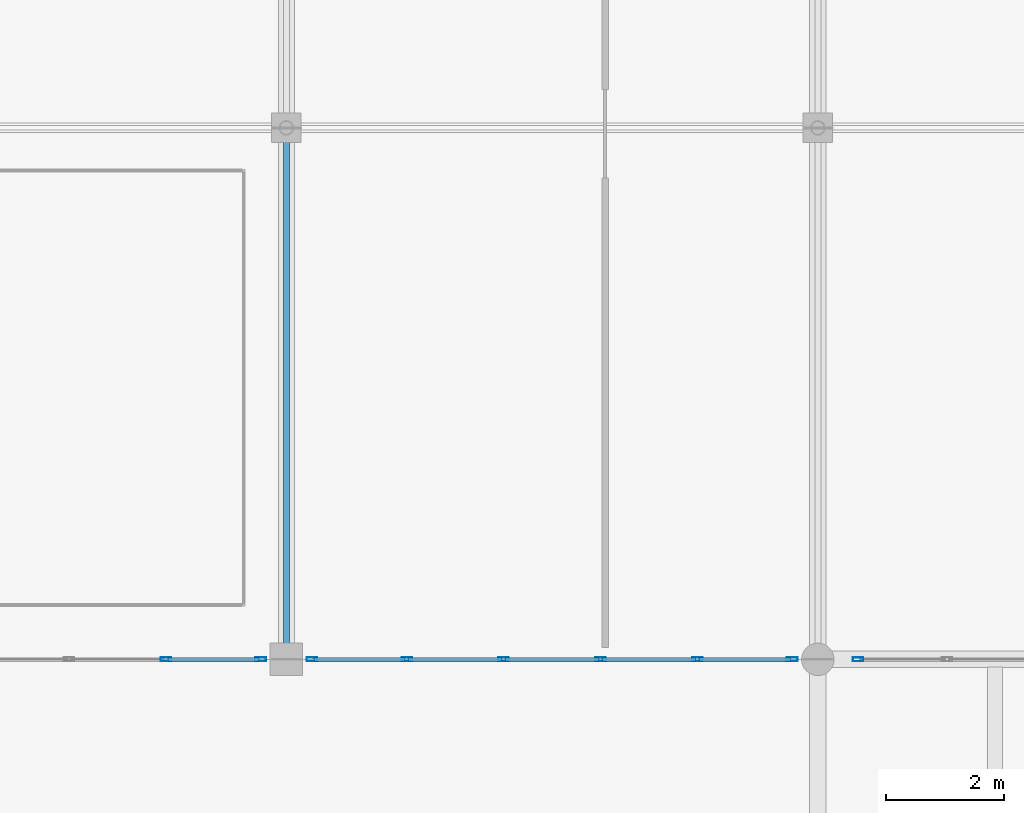
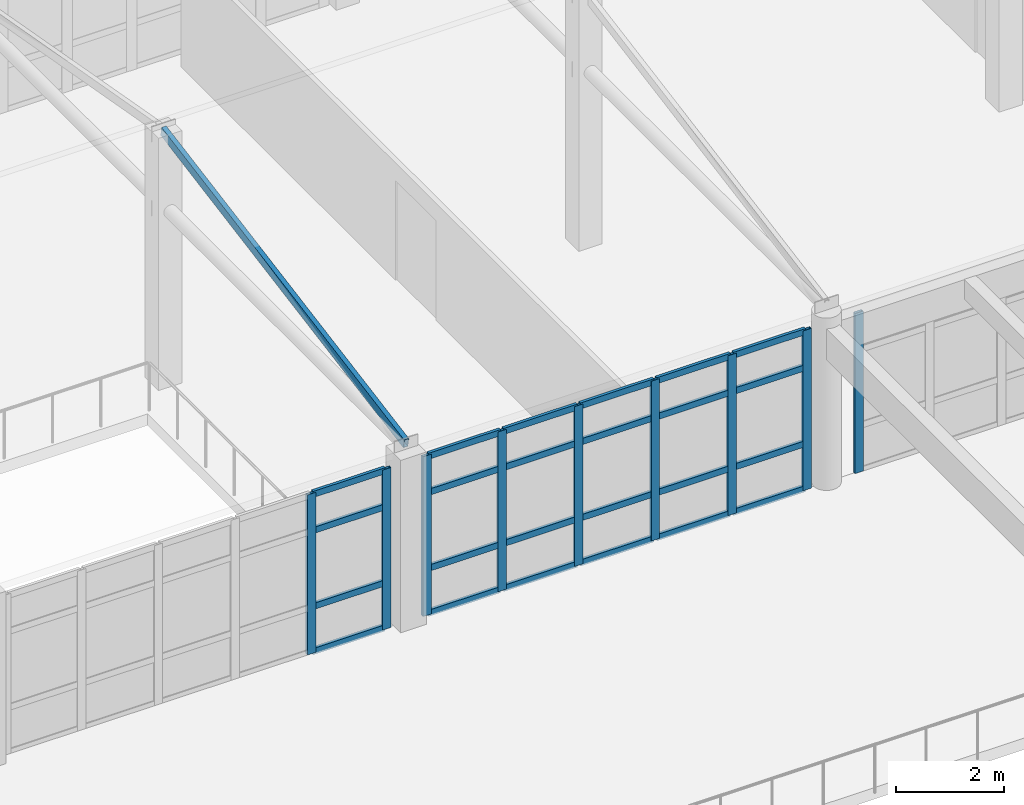
# One storey, part 64 of 156: 34 members, 3 elements without a shape of their own.
"""IFC4 building model written with IfcOpenShell, lengths in metres."""

from ifc_helpers import new_model, si_unit, direction, frame, origin, origin_2d, place, context, subcontext, project, spatial, hollow_rectangle, extrude, material, layer, layer_set, material_profile, profile_set, type_object, element, aggregate, save


model = new_model("IFC4")

# Units and contexts
model_context = context("Model", 3, precision=1e-05, world=origin(), true_north=direction((0.0, 1.0)))
body_context = subcontext(model_context, "Body", "Model", "MODEL_VIEW")
ifc_project = project(units=[si_unit("LENGTHUNIT", "METRE"), si_unit("AREAUNIT", "SQUARE_METRE"), si_unit("VOLUMEUNIT", "CUBIC_METRE"), si_unit("PLANEANGLEUNIT", "RADIAN"), si_unit("MASSUNIT", "GRAM", prefix="KILO")], contexts=[model_context])

# Site, building, storey
site_placement = place(None, origin())
site = spatial("IfcSite", under=ifc_project, at=site_placement, CompositionType="ELEMENT")
building_placement = place(site_placement, origin())
building = spatial("IfcBuilding", under=site, at=building_placement, Name="Ornek Quay Market", CompositionType="ELEMENT")
storey_placement = place(building_placement, frame((0.0, 0.0, 4.5)))
storey = spatial("IfcBuildingStorey", under=building, at=storey_placement, Name="L01", CompositionType="ELEMENT", Elevation=4.5)

# Curtain wall, members
ifc_material_1 = material(Name="Anodised bronze aluminium and triple low-e glass", Category="aluminium")
ifc_layer = layer(ifc_material_1, 0.139892578125, Name="Anodised bronze aluminium and triple low-e glass", Category="aluminium")
ifc_layer_set = layer_set([ifc_layer], Name="Anodised bronze aluminium and triple low-e glass")
curtain_wall_type = type_object("IfcCurtainWallType", Name="CW-GALLERY-INT", PredefinedType="USERDEFINED", material=ifc_layer_set)
curtain_wall_1_placement = place(storey_placement, origin())
curtain_wall_1 = element("IfcCurtainWall", 1, at=curtain_wall_1_placement, inside=storey, type_object=curtain_wall_type, Name="Curtain wall CW-130", ObjectType="CURTAIN WALL", PredefinedType="USERDEFINED")
ifc_material_2 = material(Name="Anodised aluminium 6063-T6", Category="aluminium")
ifc_material_profile_1 = material_profile(ifc_material_2, hollow_rectangle(XDim=0.06494140625, YDim=0.179931640625, WallThickness=0.00439453125, at=origin_2d()), Name="CW-MUL-65x180", Category="aluminium")
ifc_profile_set_1 = profile_set([ifc_material_profile_1], Name="Anodised aluminium 6063-T6")
member_type_1 = type_object("IfcMemberType", Name="CW-MUL-65x180", PredefinedType="MULLION", material=ifc_profile_set_1)
member_1_placement = place(storey_placement, frame((96.9599609375, 92.0, 0.0), z_axis=(0.0, 0.0, 1.0), x_axis=(0.0, 1.0, 0.0)))
member_1 = element("IfcMember", 2, at=member_1_placement, type_object=member_type_1, Name="CW-130 mullion 5", PredefinedType="MULLION", context=body_context, shape_type="SweptSolid", body=[
    extrude(hollow_rectangle(XDim=0.06494140625, YDim=0.179931640625, WallThickness=0.00439453125, at=origin_2d()), origin(), (0.0, 0.0, 1.0), 3.6201171875),
])
member_2_placement = place(storey_placement, frame((98.5673828125, 92.0, 0.0), z_axis=(0.0, 0.0, 1.0), x_axis=(0.0, 1.0, 0.0)))
member_2 = element("IfcMember", 3, at=member_2_placement, type_object=member_type_1, Name="CW-130 mullion 6", PredefinedType="MULLION", context=body_context, shape_type="SweptSolid", body=[
    extrude(hollow_rectangle(XDim=0.06494140625, YDim=0.179931640625, WallThickness=0.00439453125, at=origin_2d()), origin(), (0.0, 0.0, 1.0), 3.6201171875),
])

curtain_wall_2_placement = place(storey_placement, origin())
curtain_wall_2 = element("IfcCurtainWall", 4, at=curtain_wall_2_placement, inside=storey, type_object=curtain_wall_type, Name="Curtain wall CW-131", ObjectType="CURTAIN WALL", PredefinedType="USERDEFINED")
member_3_placement = place(storey_placement, frame((99.4326171875, 92.0, 0.0), z_axis=(0.0, 0.0, 1.0), x_axis=(0.0, 1.0, 0.0)))
member_3 = element("IfcMember", 5, at=member_3_placement, type_object=member_type_1, Name="CW-131 mullion 1", PredefinedType="MULLION", context=body_context, shape_type="SweptSolid", body=[
    extrude(hollow_rectangle(XDim=0.06494140625, YDim=0.179931640625, WallThickness=0.00439453125, at=origin_2d()), origin(), (0.0, 0.0, 1.0), 3.6201171875),
])
member_4_placement = place(storey_placement, frame((101.0400390625, 92.0, 0.0), z_axis=(0.0, 0.0, 1.0), x_axis=(0.0, 1.0, 0.0)))
member_4 = element("IfcMember", 6, at=member_4_placement, type_object=member_type_1, Name="CW-131 mullion 2", PredefinedType="MULLION", context=body_context, shape_type="SweptSolid", body=[
    extrude(hollow_rectangle(XDim=0.06494140625, YDim=0.179931640625, WallThickness=0.00439453125, at=origin_2d()), origin(), (0.0, 0.0, 1.0), 3.6201171875),
])
member_5_placement = place(storey_placement, frame((102.679931640625, 92.0, 0.0), z_axis=(0.0, 0.0, 1.0), x_axis=(0.0, 1.0, 0.0)))
member_5 = element("IfcMember", 7, at=member_5_placement, type_object=member_type_1, Name="CW-131 mullion 3", PredefinedType="MULLION", context=body_context, shape_type="SweptSolid", body=[
    extrude(hollow_rectangle(XDim=0.06494140625, YDim=0.179931640625, WallThickness=0.00439453125, at=origin_2d()), origin(), (0.0, 0.0, 1.0), 3.6201171875),
])
member_6_placement = place(storey_placement, frame((104.320068359375, 92.0, 0.0), z_axis=(0.0, 0.0, 1.0), x_axis=(0.0, 1.0, 0.0)))
member_6 = element("IfcMember", 8, at=member_6_placement, type_object=member_type_1, Name="CW-131 mullion 4", PredefinedType="MULLION", context=body_context, shape_type="SweptSolid", body=[
    extrude(hollow_rectangle(XDim=0.06494140625, YDim=0.179931640625, WallThickness=0.00439453125, at=origin_2d()), origin(), (0.0, 0.0, 1.0), 3.6201171875),
])
member_7_placement = place(storey_placement, frame((105.9599609375, 92.0, 0.0), z_axis=(0.0, 0.0, 1.0), x_axis=(0.0, 1.0, 0.0)))
member_7 = element("IfcMember", 9, at=member_7_placement, type_object=member_type_1, Name="CW-131 mullion 5", PredefinedType="MULLION", context=body_context, shape_type="SweptSolid", body=[
    extrude(hollow_rectangle(XDim=0.06494140625, YDim=0.179931640625, WallThickness=0.00439453125, at=origin_2d()), origin(), (0.0, 0.0, 1.0), 3.6201171875),
])
member_8_placement = place(storey_placement, frame((107.5673828125, 92.0, 0.0), z_axis=(0.0, 0.0, 1.0), x_axis=(0.0, 1.0, 0.0)))
member_8 = element("IfcMember", 10, at=member_8_placement, type_object=member_type_1, Name="CW-131 mullion 6", PredefinedType="MULLION", context=body_context, shape_type="SweptSolid", body=[
    extrude(hollow_rectangle(XDim=0.06494140625, YDim=0.179931640625, WallThickness=0.00439453125, at=origin_2d()), origin(), (0.0, 0.0, 1.0), 3.6201171875),
])

# Curtain wall, member
curtain_wall_3_placement = place(storey_placement, origin())
curtain_wall_3 = element("IfcCurtainWall", 11, at=curtain_wall_3_placement, inside=storey, type_object=curtain_wall_type, Name="Curtain wall CW-132", ObjectType="CURTAIN WALL", PredefinedType="USERDEFINED")
member_9_placement = place(storey_placement, frame((108.6826171875, 92.0, 0.0), z_axis=(0.0, 0.0, 1.0), x_axis=(0.0, 1.0, 0.0)))
member_9 = element("IfcMember", 12, at=member_9_placement, type_object=member_type_1, Name="CW-132 mullion 1", PredefinedType="MULLION", context=body_context, shape_type="SweptSolid", body=[
    extrude(hollow_rectangle(XDim=0.06494140625, YDim=0.179931640625, WallThickness=0.00439453125, at=origin_2d()), origin(), (0.0, 0.0, 1.0), 3.6201171875),
])
aggregate(curtain_wall_3, [member_9])

# Member
ifc_material_profile_2 = material_profile(ifc_material_2, hollow_rectangle(XDim=0.06494140625, YDim=0.139892578125, WallThickness=0.00439453125, at=origin_2d()), Name="CW-TRN-65x140", Category="aluminium")
ifc_profile_set_2 = profile_set([ifc_material_profile_2], Name="Anodised aluminium 6063-T6")
member_type_2 = type_object("IfcMemberType", Name="CW-TRN-65x140", PredefinedType="USERDEFINED", material=ifc_profile_set_2)
member_10_placement = place(storey_placement, frame((96.992431640625, 92.0, 0.032470703125), z_axis=(1.0, 0.0, 0.0), x_axis=(0.0, 1.0, 0.0)))
member_10 = element("IfcMember", 13, at=member_10_placement, type_object=member_type_2, Name="CW-130 transom 5.1", ObjectType="TRANSOM", PredefinedType="USERDEFINED", context=body_context, shape_type="SweptSolid", body=[
    extrude(hollow_rectangle(XDim=0.06494140625, YDim=0.139892578125, WallThickness=0.00439453125, at=origin_2d()), origin(), (0.0, 0.0, 1.0), 1.54248046875),
])

member_11_placement = place(storey_placement, frame((96.992431640625, 92.0, 1.050048828125), z_axis=(1.0, 0.0, 0.0), x_axis=(0.0, 1.0, 0.0)))
member_11 = element("IfcMember", 14, at=member_11_placement, type_object=member_type_2, Name="CW-130 transom 5.2", ObjectType="TRANSOM", PredefinedType="USERDEFINED", context=body_context, shape_type="SweptSolid", body=[
    extrude(hollow_rectangle(XDim=0.06494140625, YDim=0.139892578125, WallThickness=0.00439453125, at=origin_2d()), origin(), (0.0, 0.0, 1.0), 1.54248046875),
])

member_12_placement = place(storey_placement, frame((96.992431640625, 92.0, 2.77001953125), z_axis=(1.0, 0.0, 0.0), x_axis=(0.0, 1.0, 0.0)))
member_12 = element("IfcMember", 15, at=member_12_placement, type_object=member_type_2, Name="CW-130 transom 5.3", ObjectType="TRANSOM", PredefinedType="USERDEFINED", context=body_context, shape_type="SweptSolid", body=[
    extrude(hollow_rectangle(XDim=0.06494140625, YDim=0.139892578125, WallThickness=0.00439453125, at=origin_2d()), origin(), (0.0, 0.0, 1.0), 1.54248046875),
])

member_13_placement = place(storey_placement, frame((96.992431640625, 92.0, 3.58740234375), z_axis=(1.0, 0.0, 0.0), x_axis=(0.0, 1.0, 0.0)))
member_13 = element("IfcMember", 16, at=member_13_placement, type_object=member_type_2, Name="CW-130 transom 5.4", ObjectType="TRANSOM", PredefinedType="USERDEFINED", context=body_context, shape_type="SweptSolid", body=[
    extrude(hollow_rectangle(XDim=0.06494140625, YDim=0.139892578125, WallThickness=0.00439453125, at=origin_2d()), origin(), (0.0, 0.0, 1.0), 1.54248046875),
])

aggregate(curtain_wall_1, [member_1, member_2, member_10, member_11, member_12, member_13])

member_14_placement = place(storey_placement, frame((99.465087890625, 92.0, 0.032470703125), z_axis=(1.0, 0.0, 0.0), x_axis=(0.0, 1.0, 0.0)))
member_14 = element("IfcMember", 17, at=member_14_placement, type_object=member_type_2, Name="CW-131 transom 1.1", ObjectType="TRANSOM", PredefinedType="USERDEFINED", context=body_context, shape_type="SweptSolid", body=[
    extrude(hollow_rectangle(XDim=0.06494140625, YDim=0.139892578125, WallThickness=0.00439453125, at=origin_2d()), origin(), (0.0, 0.0, 1.0), 1.54248046875),
])

member_15_placement = place(storey_placement, frame((99.465087890625, 92.0, 1.050048828125), z_axis=(1.0, 0.0, 0.0), x_axis=(0.0, 1.0, 0.0)))
member_15 = element("IfcMember", 18, at=member_15_placement, type_object=member_type_2, Name="CW-131 transom 1.2", ObjectType="TRANSOM", PredefinedType="USERDEFINED", context=body_context, shape_type="SweptSolid", body=[
    extrude(hollow_rectangle(XDim=0.06494140625, YDim=0.139892578125, WallThickness=0.00439453125, at=origin_2d()), origin(), (0.0, 0.0, 1.0), 1.54248046875),
])

member_16_placement = place(storey_placement, frame((99.465087890625, 92.0, 2.77001953125), z_axis=(1.0, 0.0, 0.0), x_axis=(0.0, 1.0, 0.0)))
member_16 = element("IfcMember", 19, at=member_16_placement, type_object=member_type_2, Name="CW-131 transom 1.3", ObjectType="TRANSOM", PredefinedType="USERDEFINED", context=body_context, shape_type="SweptSolid", body=[
    extrude(hollow_rectangle(XDim=0.06494140625, YDim=0.139892578125, WallThickness=0.00439453125, at=origin_2d()), origin(), (0.0, 0.0, 1.0), 1.54248046875),
])

member_17_placement = place(storey_placement, frame((99.465087890625, 92.0, 3.58740234375), z_axis=(1.0, 0.0, 0.0), x_axis=(0.0, 1.0, 0.0)))
member_17 = element("IfcMember", 20, at=member_17_placement, type_object=member_type_2, Name="CW-131 transom 1.4", ObjectType="TRANSOM", PredefinedType="USERDEFINED", context=body_context, shape_type="SweptSolid", body=[
    extrude(hollow_rectangle(XDim=0.06494140625, YDim=0.139892578125, WallThickness=0.00439453125, at=origin_2d()), origin(), (0.0, 0.0, 1.0), 1.54248046875),
])

member_18_placement = place(storey_placement, frame((101.072509765625, 92.0, 0.032470703125), z_axis=(1.0, 0.0, 0.0), x_axis=(0.0, 1.0, 0.0)))
member_18 = element("IfcMember", 21, at=member_18_placement, type_object=member_type_2, Name="CW-131 transom 2.1", ObjectType="TRANSOM", PredefinedType="USERDEFINED", context=body_context, shape_type="SweptSolid", body=[
    extrude(hollow_rectangle(XDim=0.06494140625, YDim=0.139892578125, WallThickness=0.00439453125, at=origin_2d()), origin(), (0.0, 0.0, 1.0), 1.574951171875),
])

member_19_placement = place(storey_placement, frame((101.072509765625, 92.0, 1.050048828125), z_axis=(1.0, 0.0, 0.0), x_axis=(0.0, 1.0, 0.0)))
member_19 = element("IfcMember", 22, at=member_19_placement, type_object=member_type_2, Name="CW-131 transom 2.2", ObjectType="TRANSOM", PredefinedType="USERDEFINED", context=body_context, shape_type="SweptSolid", body=[
    extrude(hollow_rectangle(XDim=0.06494140625, YDim=0.139892578125, WallThickness=0.00439453125, at=origin_2d()), origin(), (0.0, 0.0, 1.0), 1.574951171875),
])

member_20_placement = place(storey_placement, frame((101.072509765625, 92.0, 2.77001953125), z_axis=(1.0, 0.0, 0.0), x_axis=(0.0, 1.0, 0.0)))
member_20 = element("IfcMember", 23, at=member_20_placement, type_object=member_type_2, Name="CW-131 transom 2.3", ObjectType="TRANSOM", PredefinedType="USERDEFINED", context=body_context, shape_type="SweptSolid", body=[
    extrude(hollow_rectangle(XDim=0.06494140625, YDim=0.139892578125, WallThickness=0.00439453125, at=origin_2d()), origin(), (0.0, 0.0, 1.0), 1.574951171875),
])

member_21_placement = place(storey_placement, frame((101.072509765625, 92.0, 3.58740234375), z_axis=(1.0, 0.0, 0.0), x_axis=(0.0, 1.0, 0.0)))
member_21 = element("IfcMember", 24, at=member_21_placement, type_object=member_type_2, Name="CW-131 transom 2.4", ObjectType="TRANSOM", PredefinedType="USERDEFINED", context=body_context, shape_type="SweptSolid", body=[
    extrude(hollow_rectangle(XDim=0.06494140625, YDim=0.139892578125, WallThickness=0.00439453125, at=origin_2d()), origin(), (0.0, 0.0, 1.0), 1.574951171875),
])

member_22_placement = place(storey_placement, frame((102.71240234375, 92.0, 0.032470703125), z_axis=(1.0, 0.0, 0.0), x_axis=(0.0, 1.0, 0.0)))
member_22 = element("IfcMember", 25, at=member_22_placement, type_object=member_type_2, Name="CW-131 transom 3.1", ObjectType="TRANSOM", PredefinedType="USERDEFINED", context=body_context, shape_type="SweptSolid", body=[
    extrude(hollow_rectangle(XDim=0.06494140625, YDim=0.139892578125, WallThickness=0.00439453125, at=origin_2d()), origin(), (0.0, 0.0, 1.0), 1.5751953125),
])

member_23_placement = place(storey_placement, frame((102.71240234375, 92.0, 1.050048828125), z_axis=(1.0, 0.0, 0.0), x_axis=(0.0, 1.0, 0.0)))
member_23 = element("IfcMember", 26, at=member_23_placement, type_object=member_type_2, Name="CW-131 transom 3.2", ObjectType="TRANSOM", PredefinedType="USERDEFINED", context=body_context, shape_type="SweptSolid", body=[
    extrude(hollow_rectangle(XDim=0.06494140625, YDim=0.139892578125, WallThickness=0.00439453125, at=origin_2d()), origin(), (0.0, 0.0, 1.0), 1.5751953125),
])

member_24_placement = place(storey_placement, frame((102.71240234375, 92.0, 2.77001953125), z_axis=(1.0, 0.0, 0.0), x_axis=(0.0, 1.0, 0.0)))
member_24 = element("IfcMember", 27, at=member_24_placement, type_object=member_type_2, Name="CW-131 transom 3.3", ObjectType="TRANSOM", PredefinedType="USERDEFINED", context=body_context, shape_type="SweptSolid", body=[
    extrude(hollow_rectangle(XDim=0.06494140625, YDim=0.139892578125, WallThickness=0.00439453125, at=origin_2d()), origin(), (0.0, 0.0, 1.0), 1.5751953125),
])

member_25_placement = place(storey_placement, frame((102.71240234375, 92.0, 3.58740234375), z_axis=(1.0, 0.0, 0.0), x_axis=(0.0, 1.0, 0.0)))
member_25 = element("IfcMember", 28, at=member_25_placement, type_object=member_type_2, Name="CW-131 transom 3.4", ObjectType="TRANSOM", PredefinedType="USERDEFINED", context=body_context, shape_type="SweptSolid", body=[
    extrude(hollow_rectangle(XDim=0.06494140625, YDim=0.139892578125, WallThickness=0.00439453125, at=origin_2d()), origin(), (0.0, 0.0, 1.0), 1.5751953125),
])

member_26_placement = place(storey_placement, frame((104.3525390625, 92.0, 0.032470703125), z_axis=(1.0, 0.0, 0.0), x_axis=(0.0, 1.0, 0.0)))
member_26 = element("IfcMember", 29, at=member_26_placement, type_object=member_type_2, Name="CW-131 transom 4.1", ObjectType="TRANSOM", PredefinedType="USERDEFINED", context=body_context, shape_type="SweptSolid", body=[
    extrude(hollow_rectangle(XDim=0.06494140625, YDim=0.139892578125, WallThickness=0.00439453125, at=origin_2d()), origin(), (0.0, 0.0, 1.0), 1.574951171875),
])

member_27_placement = place(storey_placement, frame((104.3525390625, 92.0, 1.050048828125), z_axis=(1.0, 0.0, 0.0), x_axis=(0.0, 1.0, 0.0)))
member_27 = element("IfcMember", 30, at=member_27_placement, type_object=member_type_2, Name="CW-131 transom 4.2", ObjectType="TRANSOM", PredefinedType="USERDEFINED", context=body_context, shape_type="SweptSolid", body=[
    extrude(hollow_rectangle(XDim=0.06494140625, YDim=0.139892578125, WallThickness=0.00439453125, at=origin_2d()), origin(), (0.0, 0.0, 1.0), 1.574951171875),
])

member_28_placement = place(storey_placement, frame((104.3525390625, 92.0, 2.77001953125), z_axis=(1.0, 0.0, 0.0), x_axis=(0.0, 1.0, 0.0)))
member_28 = element("IfcMember", 31, at=member_28_placement, type_object=member_type_2, Name="CW-131 transom 4.3", ObjectType="TRANSOM", PredefinedType="USERDEFINED", context=body_context, shape_type="SweptSolid", body=[
    extrude(hollow_rectangle(XDim=0.06494140625, YDim=0.139892578125, WallThickness=0.00439453125, at=origin_2d()), origin(), (0.0, 0.0, 1.0), 1.574951171875),
])

member_29_placement = place(storey_placement, frame((104.3525390625, 92.0, 3.58740234375), z_axis=(1.0, 0.0, 0.0), x_axis=(0.0, 1.0, 0.0)))
member_29 = element("IfcMember", 32, at=member_29_placement, type_object=member_type_2, Name="CW-131 transom 4.4", ObjectType="TRANSOM", PredefinedType="USERDEFINED", context=body_context, shape_type="SweptSolid", body=[
    extrude(hollow_rectangle(XDim=0.06494140625, YDim=0.139892578125, WallThickness=0.00439453125, at=origin_2d()), origin(), (0.0, 0.0, 1.0), 1.574951171875),
])

member_30_placement = place(storey_placement, frame((105.992431640625, 92.0, 0.032470703125), z_axis=(1.0, 0.0, 0.0), x_axis=(0.0, 1.0, 0.0)))
member_30 = element("IfcMember", 33, at=member_30_placement, type_object=member_type_2, Name="CW-131 transom 5.1", ObjectType="TRANSOM", PredefinedType="USERDEFINED", context=body_context, shape_type="SweptSolid", body=[
    extrude(hollow_rectangle(XDim=0.06494140625, YDim=0.139892578125, WallThickness=0.00439453125, at=origin_2d()), origin(), (0.0, 0.0, 1.0), 1.54248046875),
])

member_31_placement = place(storey_placement, frame((105.992431640625, 92.0, 1.050048828125), z_axis=(1.0, 0.0, 0.0), x_axis=(0.0, 1.0, 0.0)))
member_31 = element("IfcMember", 34, at=member_31_placement, type_object=member_type_2, Name="CW-131 transom 5.2", ObjectType="TRANSOM", PredefinedType="USERDEFINED", context=body_context, shape_type="SweptSolid", body=[
    extrude(hollow_rectangle(XDim=0.06494140625, YDim=0.139892578125, WallThickness=0.00439453125, at=origin_2d()), origin(), (0.0, 0.0, 1.0), 1.54248046875),
])

member_32_placement = place(storey_placement, frame((105.992431640625, 92.0, 2.77001953125), z_axis=(1.0, 0.0, 0.0), x_axis=(0.0, 1.0, 0.0)))
member_32 = element("IfcMember", 35, at=member_32_placement, type_object=member_type_2, Name="CW-131 transom 5.3", ObjectType="TRANSOM", PredefinedType="USERDEFINED", context=body_context, shape_type="SweptSolid", body=[
    extrude(hollow_rectangle(XDim=0.06494140625, YDim=0.139892578125, WallThickness=0.00439453125, at=origin_2d()), origin(), (0.0, 0.0, 1.0), 1.54248046875),
])

member_33_placement = place(storey_placement, frame((105.992431640625, 92.0, 3.58740234375), z_axis=(1.0, 0.0, 0.0), x_axis=(0.0, 1.0, 0.0)))
member_33 = element("IfcMember", 36, at=member_33_placement, type_object=member_type_2, Name="CW-131 transom 5.4", ObjectType="TRANSOM", PredefinedType="USERDEFINED", context=body_context, shape_type="SweptSolid", body=[
    extrude(hollow_rectangle(XDim=0.06494140625, YDim=0.139892578125, WallThickness=0.00439453125, at=origin_2d()), origin(), (0.0, 0.0, 1.0), 1.54248046875),
])

aggregate(curtain_wall_2, [member_3, member_4, member_5, member_6, member_7, member_8, member_14, member_15, member_16, member_17, member_18, member_19, member_20, member_21, member_22, member_23, member_24, member_25, member_26, member_27, member_28, member_29, member_30, member_31, member_32, member_33])

ifc_material_3 = material(Name="Steel S355", Category="steel")
ifc_material_profile_3 = material_profile(ifc_material_3, hollow_rectangle(XDim=0.10009765625, YDim=0.199951171875, WallThickness=0.008056640625, at=origin_2d()), Name="MBR-RAF-100x200", Category="steel")
ifc_profile_set_3 = profile_set([ifc_material_profile_3], Name="Steel S355")
member_type_3 = type_object("IfcMemberType", Name="MBR-RAF-100x200", PredefinedType="RAFTER", material=ifc_profile_set_3)
member_34_placement = place(storey_placement, frame((99.0, 92.0, 4.030029296875), z_axis=(0.0, 0.984185744367, 0.177139551158), x_axis=(-1.0, 0.0, 0.0)))
element("IfcMember", 37, at=member_34_placement, inside=storey, type_object=member_type_3, Name="Concourse skylight rafter C-99-S", PredefinedType="RAFTER", context=body_context, shape_type="SweptSolid", body=[
    extrude(hollow_rectangle(XDim=0.10009765625, YDim=0.199951171875, WallThickness=0.008056640625, at=origin_2d()), origin(), (0.0, 0.0, 1.0), 9.14453125),
])

save(model, "model.ifc")
